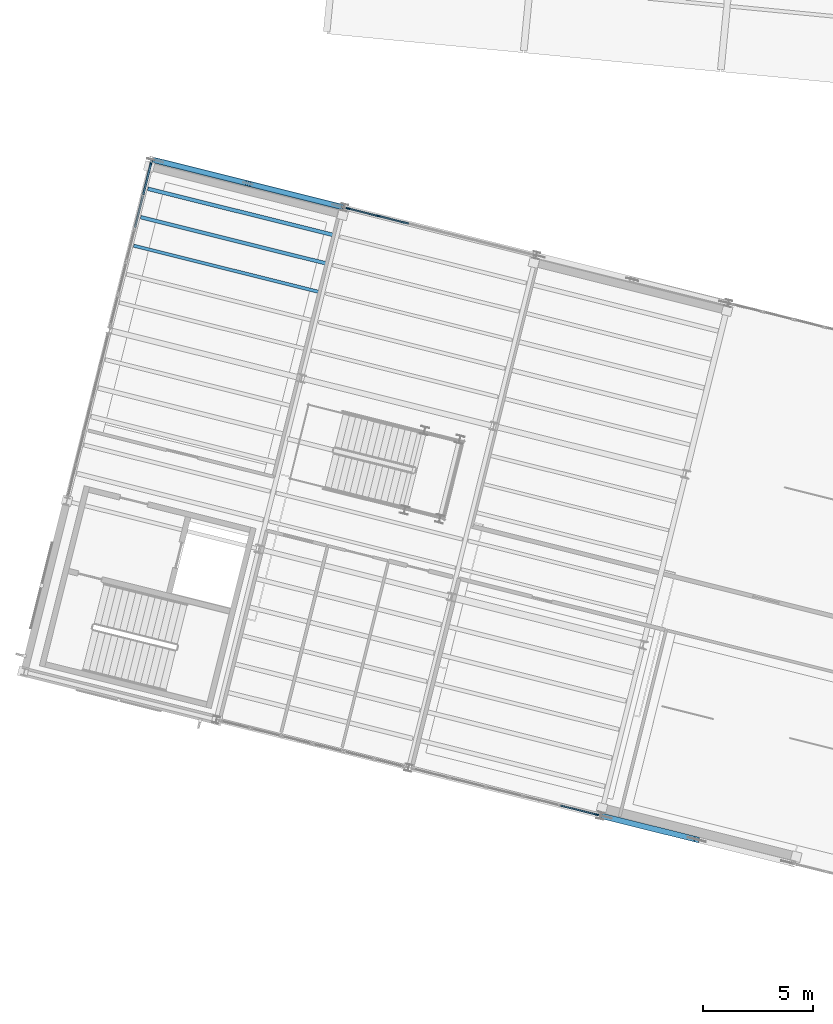
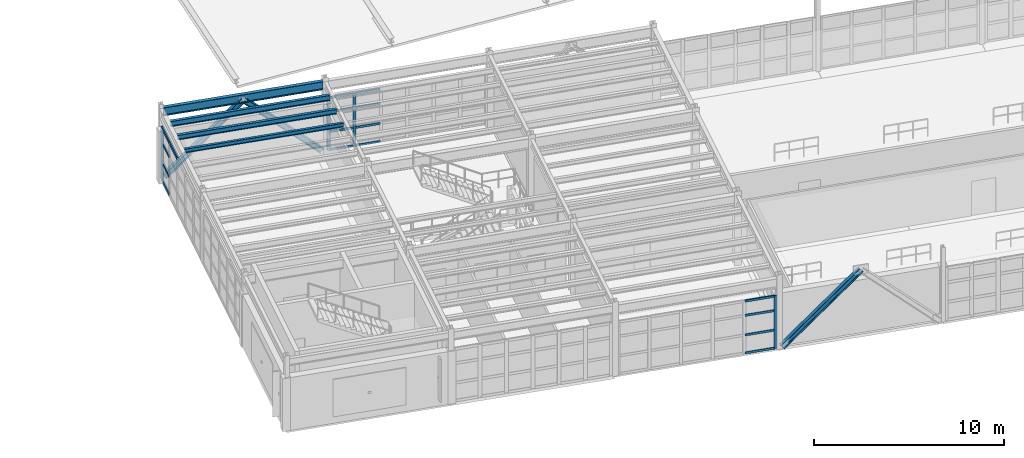
# One storey, part 14 of 59: 24 members, 4 beams, 3 elements without a shape of their own.
"""IFC4 building model written with IfcOpenShell, lengths in metres."""

from ifc_helpers import new_model, si_unit, direction, frame, origin, origin_2d, place, context, subcontext, project, spatial, rectangle, i_section, extrude, material, layer, layer_set, material_profile, profile_set, type_object, element, aggregate, save


model = new_model("IFC4")

# Units and contexts
model_context = context("Model", 3, precision=1e-05, world=origin(), true_north=direction((0.0, 1.0)))
body_context = subcontext(model_context, "Body", "Model", "MODEL_VIEW")
ifc_project = project(units=[si_unit("LENGTHUNIT", "METRE"), si_unit("AREAUNIT", "SQUARE_METRE"), si_unit("VOLUMEUNIT", "CUBIC_METRE"), si_unit("PLANEANGLEUNIT", "RADIAN"), si_unit("MASSUNIT", "GRAM", prefix="KILO")], contexts=[model_context])

# Site, building, storey
site_placement = place(None, origin())
site = spatial("IfcSite", under=ifc_project, at=site_placement, CompositionType="ELEMENT")
building_placement = place(site_placement, origin())
building = spatial("IfcBuilding", under=site, at=building_placement, Name="Vireo Bluff Cable Station", CompositionType="ELEMENT")
storey_placement = place(building_placement, frame((0.0, 0.0, 14.39990234375)))
storey = spatial("IfcBuildingStorey", under=building, at=storey_placement, Name="L03", CompositionType="ELEMENT", Elevation=14.39990234375)

# Members
ifc_material_1 = material(Name="Steel ASTM A992 Gr. 50", Category="steel")
ifc_material_profile_1 = material_profile(ifc_material_1, i_section(OverallWidth=0.25390625, OverallDepth=0.305908203125, WebThickness=0.0087890625, FlangeThickness=0.0146484375, FilletRadius=0.010986328125, at=origin_2d()), Name="W12X53")
ifc_profile_set_1 = profile_set([ifc_material_profile_1], Name="Steel ASTM A992 Gr. 50")
member_type_1 = type_object("IfcMemberType", Name="BRC-04", PredefinedType="BRACE", material=ifc_profile_set_1)
member_1_placement = place(storey_placement, frame((59.96142578125, 61.248291015625, 0.0400390625), z_axis=(0.702068522127, -0.175028678406, 0.69026426242), x_axis=(0.241900212683, 0.970301132177, 0.0)))
element("IfcMember", 1, at=member_1_placement, inside=storey, type_object=member_type_1, Name="V1 L03 concentric brace 15L", PredefinedType="BRACE", context=body_context, shape_type="SweptSolid", body=[
    extrude(i_section(OverallWidth=0.25390625, OverallDepth=0.305908203125, WebThickness=0.0087890625, FlangeThickness=0.0146484375, FilletRadius=0.010986328125, at=origin_2d()), origin(), (0.0, 0.0, 1.0), 5.997802734375),
])
member_2_placement = place(storey_placement, frame((80.353271484375, 31.429443359375, 0.0400390625), z_axis=(0.702063519762, -0.175068135349, 0.690259344163), x_axis=(0.241953175614, 0.970287926757, 0.0)))
element("IfcMember", 2, at=member_2_placement, inside=storey, type_object=member_type_1, Name="V1 L03 concentric brace 21L", PredefinedType="BRACE", context=body_context, shape_type="SweptSolid", body=[
    extrude(i_section(OverallWidth=0.25390625, OverallDepth=0.305908203125, WebThickness=0.0087890625, FlangeThickness=0.0146484375, FilletRadius=0.010986328125, at=origin_2d()), origin(), (0.0, 0.0, 1.0), 5.998046875),
])
ifc_material_profile_2 = material_profile(ifc_material_1, i_section(OverallWidth=0.25390625, OverallDepth=0.31005859375, WebThickness=0.009033203125, FlangeThickness=0.016357421875, FilletRadius=0.010986328125, at=origin_2d()), Name="W12X58")
ifc_profile_set_2 = profile_set([ifc_material_profile_2], Name="Steel ASTM A992 Gr. 50")
member_type_2 = type_object("IfcMemberType", Name="BRC-05", PredefinedType="BRACE", material=ifc_profile_set_2)
member_3_placement = place(storey_placement, frame((68.383544921875, 59.1484375, 0.0400390625), z_axis=(-0.70208416018, 0.175063132526, 0.690239619012), x_axis=(-0.241939969626, -0.970291219736, 0.0)))
element("IfcMember", 3, at=member_3_placement, inside=storey, type_object=member_type_2, Name="V1 L03 concentric brace 16R", PredefinedType="BRACE", context=body_context, shape_type="SweptSolid", body=[
    extrude(i_section(OverallWidth=0.25390625, OverallDepth=0.31005859375, WebThickness=0.009033203125, FlangeThickness=0.016357421875, FilletRadius=0.010986328125, at=origin_2d()), origin(), (0.0, 0.0, 1.0), 5.998046875),
])

# Curtain wall, member
ifc_material_2 = material(Name="Anodized Aluminium 6063-T6", Category="aluminium")
ifc_layer_1 = layer(ifc_material_2, 0.179931640625, Name="Anodized Aluminium 6063-T6")
ifc_layer_set_1 = layer_set([ifc_layer_1], Name="Anodized Aluminium 6063-T6")
curtain_wall_type_1 = type_object("IfcCurtainWallType", Name="CW-UNIT-1650", PredefinedType="USERDEFINED", material=ifc_layer_set_1)
curtain_wall_1_placement = place(storey_placement, origin())
curtain_wall_1 = element("IfcCurtainWall", 4, at=curtain_wall_1_placement, inside=storey, type_object=curtain_wall_type_1, Name="V1 L03 south curtain wall CW-020", ObjectType="UNITISED CURTAIN WALL", PredefinedType="USERDEFINED")
ifc_material_profile_3 = material_profile(ifc_material_2, rectangle(XDim=0.06494140625, YDim=0.179931640625, at=origin_2d()), Name="ALU-M-65X180")
ifc_profile_set_3 = profile_set([ifc_material_profile_3], Name="Anodized Aluminium 6063-T6")
member_type_3 = type_object("IfcMemberType", Name="CWM-01", PredefinedType="MULLION", material=ifc_profile_set_3)
member_4_placement = place(storey_placement, frame((80.015625, 31.513671875, 0.0), z_axis=(0.0, 0.0, 1.0), x_axis=(-0.241921845845, -0.970295738681, 0.0)))
member_4 = element("IfcMember", 5, at=member_4_placement, type_object=member_type_3, Name="CW-020 mullion 1", PredefinedType="MULLION", context=body_context, shape_type="SweptSolid", body=[
    extrude(rectangle(XDim=0.06494140625, YDim=0.179931640625, at=origin_2d()), origin(), (0.0, 0.0, 1.0), 3.400146484375),
])

# Curtain wall, members
ifc_layer_2 = layer(ifc_material_2, 0.179931640625, Name="Anodized Aluminium 6063-T6")
ifc_layer_set_2 = layer_set([ifc_layer_2], Name="Anodized Aluminium 6063-T6")
curtain_wall_type_2 = type_object("IfcCurtainWallType", Name="CW-UNIT-1400", PredefinedType="USERDEFINED", material=ifc_layer_set_2)
curtain_wall_2_placement = place(storey_placement, origin())
curtain_wall_2 = element("IfcCurtainWall", 6, at=curtain_wall_2_placement, inside=storey, type_object=curtain_wall_type_2, Name="V1 L03 north curtain wall CW-024", ObjectType="UNITISED CURTAIN WALL", PredefinedType="USERDEFINED")
member_5_placement = place(storey_placement, frame((68.72021484375, 59.064453125, 0.0), z_axis=(0.0, 0.0, 1.0), x_axis=(0.241921878749, 0.970295730477, 0.0)))
member_5 = element("IfcMember", 7, at=member_5_placement, type_object=member_type_3, Name="CW-024 mullion 1", PredefinedType="MULLION", context=body_context, shape_type="SweptSolid", body=[
    extrude(rectangle(XDim=0.06494140625, YDim=0.179931640625, at=origin_2d()), origin(), (0.0, 0.0, 1.0), 3.400146484375),
])
member_6_placement = place(storey_placement, frame((70.09423828125, 58.721923828125, 0.0), z_axis=(0.0, 0.0, 1.0), x_axis=(0.241921878749, 0.970295730477, 0.0)))
member_6 = element("IfcMember", 8, at=member_6_placement, type_object=member_type_3, Name="CW-024 mullion 2", PredefinedType="MULLION", context=body_context, shape_type="SweptSolid", body=[
    extrude(rectangle(XDim=0.06494140625, YDim=0.179931640625, at=origin_2d()), origin(), (0.0, 0.0, 1.0), 3.400146484375),
])

# Curtain wall, member
curtain_wall_3_placement = place(storey_placement, origin())
curtain_wall_3 = element("IfcCurtainWall", 9, at=curtain_wall_3_placement, inside=storey, type_object=curtain_wall_type_1, Name="V1 L03 west curtain wall CW-023", ObjectType="UNITISED CURTAIN WALL", PredefinedType="USERDEFINED")
ifc_material_profile_4 = material_profile(ifc_material_2, rectangle(XDim=0.080078125, YDim=0.239990234375, at=origin_2d()), Name="ALU-M-80X240")
ifc_profile_set_4 = profile_set([ifc_material_profile_4], Name="Anodized Aluminium 6063-T6")
member_type_4 = type_object("IfcMemberType", Name="CWM-04", PredefinedType="MULLION", material=ifc_profile_set_4)
member_7_placement = place(storey_placement, frame((59.764892578125, 61.1220703125, 0.0), z_axis=(0.0, 0.0, 1.0), x_axis=(-0.970295721712, 0.241921913906, 0.0)))
member_7 = element("IfcMember", 10, at=member_7_placement, type_object=member_type_4, Name="CW-023 mullion 6", PredefinedType="MULLION", context=body_context, shape_type="SweptSolid", body=[
    extrude(rectangle(XDim=0.080078125, YDim=0.239990234375, at=origin_2d()), origin(), (0.0, 0.0, 1.0), 3.400146484375),
])

# Member
ifc_material_profile_5 = material_profile(ifc_material_2, rectangle(XDim=0.06494140625, YDim=0.139892578125, at=origin_2d()), Name="ALU-T-65X140")
ifc_profile_set_5 = profile_set([ifc_material_profile_5], Name="Anodized Aluminium 6063-T6")
member_type_5 = type_object("IfcMemberType", Name="CWT-01", PredefinedType="USERDEFINED", material=ifc_profile_set_5)
member_8_placement = place(storey_placement, frame((79.984130859375, 31.521484375, 0.03271484375), z_axis=(-0.970308626073, 0.24187015146, 0.0), x_axis=(-0.24187015146, -0.970308626073, 0.0)))
member_8 = element("IfcMember", 11, at=member_8_placement, type_object=member_type_5, Name="CW-020 transom 1.1", ObjectType="TRANSOM", PredefinedType="USERDEFINED", context=body_context, shape_type="SweptSolid", body=[
    extrude(rectangle(XDim=0.06494140625, YDim=0.139892578125, at=origin_2d()), origin(), (0.0, 0.0, 1.0), 1.64013671875),
])

member_9_placement = place(storey_placement, frame((79.984130859375, 31.521484375, 1.190185546875), z_axis=(-0.970308626073, 0.24187015146, 0.0), x_axis=(-0.24187015146, -0.970308626073, 0.0)))
member_9 = element("IfcMember", 12, at=member_9_placement, type_object=member_type_5, Name="CW-020 transom 1.2", ObjectType="TRANSOM", PredefinedType="USERDEFINED", context=body_context, shape_type="SweptSolid", body=[
    extrude(rectangle(XDim=0.06494140625, YDim=0.139892578125, at=origin_2d()), origin(), (0.0, 0.0, 1.0), 1.64013671875),
])

member_10_placement = place(storey_placement, frame((79.984130859375, 31.521484375, 2.447998046875), z_axis=(-0.970308626073, 0.24187015146, 0.0), x_axis=(-0.24187015146, -0.970308626073, 0.0)))
member_10 = element("IfcMember", 13, at=member_10_placement, type_object=member_type_5, Name="CW-020 transom 1.3", ObjectType="TRANSOM", PredefinedType="USERDEFINED", context=body_context, shape_type="SweptSolid", body=[
    extrude(rectangle(XDim=0.06494140625, YDim=0.139892578125, at=origin_2d()), origin(), (0.0, 0.0, 1.0), 1.64013671875),
])

member_11_placement = place(storey_placement, frame((79.984130859375, 31.521484375, 3.36767578125), z_axis=(-0.970308626073, 0.24187015146, 0.0), x_axis=(-0.24187015146, -0.970308626073, 0.0)))
member_11 = element("IfcMember", 14, at=member_11_placement, type_object=member_type_5, Name="CW-020 transom 1.4", ObjectType="TRANSOM", PredefinedType="USERDEFINED", context=body_context, shape_type="SweptSolid", body=[
    extrude(rectangle(XDim=0.06494140625, YDim=0.139892578125, at=origin_2d()), origin(), (0.0, 0.0, 1.0), 1.64013671875),
])

aggregate(curtain_wall_1, [member_4, member_8, member_9, member_10, member_11])

member_12_placement = place(storey_placement, frame((68.751708984375, 59.056640625, 0.03271484375), z_axis=(0.970333522681, -0.24177025202, 0.0), x_axis=(0.24177025202, 0.970333522681, 0.0)))
member_12 = element("IfcMember", 15, at=member_12_placement, type_object=member_type_5, Name="CW-024 transom 1.1", ObjectType="TRANSOM", PredefinedType="USERDEFINED", context=body_context, shape_type="SweptSolid", body=[
    extrude(rectangle(XDim=0.06494140625, YDim=0.139892578125, at=origin_2d()), origin(), (0.0, 0.0, 1.0), 1.35107421875),
])

member_13_placement = place(storey_placement, frame((68.751708984375, 59.056640625, 1.190185546875), z_axis=(0.970333522681, -0.24177025202, 0.0), x_axis=(0.24177025202, 0.970333522681, 0.0)))
member_13 = element("IfcMember", 16, at=member_13_placement, type_object=member_type_5, Name="CW-024 transom 1.2", ObjectType="TRANSOM", PredefinedType="USERDEFINED", context=body_context, shape_type="SweptSolid", body=[
    extrude(rectangle(XDim=0.06494140625, YDim=0.139892578125, at=origin_2d()), origin(), (0.0, 0.0, 1.0), 1.35107421875),
])

member_14_placement = place(storey_placement, frame((68.751708984375, 59.056640625, 2.447998046875), z_axis=(0.970333522681, -0.24177025202, 0.0), x_axis=(0.24177025202, 0.970333522681, 0.0)))
member_14 = element("IfcMember", 17, at=member_14_placement, type_object=member_type_5, Name="CW-024 transom 1.3", ObjectType="TRANSOM", PredefinedType="USERDEFINED", context=body_context, shape_type="SweptSolid", body=[
    extrude(rectangle(XDim=0.06494140625, YDim=0.139892578125, at=origin_2d()), origin(), (0.0, 0.0, 1.0), 1.35107421875),
])

member_15_placement = place(storey_placement, frame((68.751708984375, 59.056640625, 3.36767578125), z_axis=(0.970333522681, -0.24177025202, 0.0), x_axis=(0.24177025202, 0.970333522681, 0.0)))
member_15 = element("IfcMember", 18, at=member_15_placement, type_object=member_type_5, Name="CW-024 transom 1.4", ObjectType="TRANSOM", PredefinedType="USERDEFINED", context=body_context, shape_type="SweptSolid", body=[
    extrude(rectangle(XDim=0.06494140625, YDim=0.139892578125, at=origin_2d()), origin(), (0.0, 0.0, 1.0), 1.35107421875),
])

member_16_placement = place(storey_placement, frame((70.125732421875, 58.714111328125, 0.03271484375), z_axis=(0.970287662527, -0.241954235235, 0.0), x_axis=(0.241954235235, 0.970287662527, 0.0)))
member_16 = element("IfcMember", 19, at=member_16_placement, type_object=member_type_5, Name="CW-024 transom 2.1", ObjectType="TRANSOM", PredefinedType="USERDEFINED", context=body_context, shape_type="SweptSolid", body=[
    extrude(rectangle(XDim=0.06494140625, YDim=0.139892578125, at=origin_2d()), origin(), (0.0, 0.0, 1.0), 1.38330078125),
])

member_17_placement = place(storey_placement, frame((70.125732421875, 58.714111328125, 1.190185546875), z_axis=(0.970287662527, -0.241954235235, 0.0), x_axis=(0.241954235235, 0.970287662527, 0.0)))
member_17 = element("IfcMember", 20, at=member_17_placement, type_object=member_type_5, Name="CW-024 transom 2.2", ObjectType="TRANSOM", PredefinedType="USERDEFINED", context=body_context, shape_type="SweptSolid", body=[
    extrude(rectangle(XDim=0.06494140625, YDim=0.139892578125, at=origin_2d()), origin(), (0.0, 0.0, 1.0), 1.38330078125),
])

member_18_placement = place(storey_placement, frame((70.125732421875, 58.714111328125, 2.447998046875), z_axis=(0.970287662527, -0.241954235235, 0.0), x_axis=(0.241954235235, 0.970287662527, 0.0)))
member_18 = element("IfcMember", 21, at=member_18_placement, type_object=member_type_5, Name="CW-024 transom 2.3", ObjectType="TRANSOM", PredefinedType="USERDEFINED", context=body_context, shape_type="SweptSolid", body=[
    extrude(rectangle(XDim=0.06494140625, YDim=0.139892578125, at=origin_2d()), origin(), (0.0, 0.0, 1.0), 1.38330078125),
])

member_19_placement = place(storey_placement, frame((70.125732421875, 58.714111328125, 3.36767578125), z_axis=(0.970287662527, -0.241954235235, 0.0), x_axis=(0.241954235235, 0.970287662527, 0.0)))
member_19 = element("IfcMember", 22, at=member_19_placement, type_object=member_type_5, Name="CW-024 transom 2.4", ObjectType="TRANSOM", PredefinedType="USERDEFINED", context=body_context, shape_type="SweptSolid", body=[
    extrude(rectangle(XDim=0.06494140625, YDim=0.139892578125, at=origin_2d()), origin(), (0.0, 0.0, 1.0), 1.38330078125),
])

aggregate(curtain_wall_2, [member_5, member_6, member_12, member_13, member_14, member_15, member_16, member_17, member_18, member_19])

ifc_material_profile_6 = material_profile(ifc_material_2, rectangle(XDim=0.080078125, YDim=0.175048828125, at=origin_2d()), Name="ALU-T-80X175")
ifc_profile_set_6 = profile_set([ifc_material_profile_6], Name="Anodized Aluminium 6063-T6")
member_type_6 = type_object("IfcMemberType", Name="CWT-04", PredefinedType="USERDEFINED", material=ifc_profile_set_6)
member_20_placement = place(storey_placement, frame((59.03564453125, 58.197265625, 3.360107421875), z_axis=(0.241948279971, 0.970289147532, 0.0), x_axis=(-0.970289147532, 0.241948279971, 0.0)))
member_20 = element("IfcMember", 23, at=member_20_placement, type_object=member_type_6, Name="CW-023 transom 4.4", ObjectType="TRANSOM", PredefinedType="USERDEFINED", context=body_context, shape_type="SweptSolid", body=[
    extrude(rectangle(XDim=0.080078125, YDim=0.175048828125, at=origin_2d()), origin(), (0.0, 0.0, 1.0), 1.46728515625),
])

member_21_placement = place(storey_placement, frame((59.41015625, 59.698486328125, 0.0400390625), z_axis=(0.241891547174, 0.970303292484, 0.0), x_axis=(-0.970303292484, 0.241891547174, 0.0)))
member_21 = element("IfcMember", 24, at=member_21_placement, type_object=member_type_6, Name="CW-023 transom 5.1", ObjectType="TRANSOM", PredefinedType="USERDEFINED", context=body_context, shape_type="SweptSolid", body=[
    extrude(rectangle(XDim=0.080078125, YDim=0.175048828125, at=origin_2d()), origin(), (0.0, 0.0, 1.0), 1.42724609375),
])

member_22_placement = place(storey_placement, frame((59.41015625, 59.698486328125, 1.190185546875), z_axis=(0.241891547174, 0.970303292484, 0.0), x_axis=(-0.970303292484, 0.241891547174, 0.0)))
member_22 = element("IfcMember", 25, at=member_22_placement, type_object=member_type_6, Name="CW-023 transom 5.2", ObjectType="TRANSOM", PredefinedType="USERDEFINED", context=body_context, shape_type="SweptSolid", body=[
    extrude(rectangle(XDim=0.080078125, YDim=0.175048828125, at=origin_2d()), origin(), (0.0, 0.0, 1.0), 1.42724609375),
])

member_23_placement = place(storey_placement, frame((59.41015625, 59.698486328125, 2.447998046875), z_axis=(0.241891547174, 0.970303292484, 0.0), x_axis=(-0.970303292484, 0.241891547174, 0.0)))
member_23 = element("IfcMember", 26, at=member_23_placement, type_object=member_type_6, Name="CW-023 transom 5.3", ObjectType="TRANSOM", PredefinedType="USERDEFINED", context=body_context, shape_type="SweptSolid", body=[
    extrude(rectangle(XDim=0.080078125, YDim=0.175048828125, at=origin_2d()), origin(), (0.0, 0.0, 1.0), 1.42724609375),
])

member_24_placement = place(storey_placement, frame((59.41015625, 59.698486328125, 3.360107421875), z_axis=(0.241891547174, 0.970303292484, 0.0), x_axis=(-0.970303292484, 0.241891547174, 0.0)))
member_24 = element("IfcMember", 27, at=member_24_placement, type_object=member_type_6, Name="CW-023 transom 5.4", ObjectType="TRANSOM", PredefinedType="USERDEFINED", context=body_context, shape_type="SweptSolid", body=[
    extrude(rectangle(XDim=0.080078125, YDim=0.175048828125, at=origin_2d()), origin(), (0.0, 0.0, 1.0), 1.42724609375),
])

aggregate(curtain_wall_3, [member_7, member_20, member_21, member_22, member_23, member_24])

# Beams
ifc_material_profile_7 = material_profile(ifc_material_1, i_section(OverallWidth=0.14599609375, OverallDepth=0.259033203125, WebThickness=0.006103515625, FlangeThickness=0.009033203125, FilletRadius=0.009033203125, at=origin_2d()), Name="W10X22")
ifc_profile_set_7 = profile_set([ifc_material_profile_7], Name="Steel ASTM A992 Gr. 50")
beam_type_1 = type_object("IfcBeamType", Name="JST-W10X22", PredefinedType="JOIST", material=ifc_profile_set_7)
beam_1_placement = place(storey_placement, frame((58.974365234375, 57.3720703125, 4.41064453125), z_axis=(0.970293828661, -0.24192950639, 0.0), x_axis=(0.24192950639, 0.970293828661, 0.0)))
element("IfcBeam", 28, at=beam_1_placement, inside=storey, type_object=beam_type_1, Name="V1 L03 composite joist 303", PredefinedType="JOIST", context=body_context, shape_type="SweptSolid", body=[
    extrude(i_section(OverallWidth=0.14599609375, OverallDepth=0.259033203125, WebThickness=0.006103515625, FlangeThickness=0.009033203125, FilletRadius=0.009033203125, at=origin_2d()), origin(), (0.0, 0.0, 1.0), 8.719970703125),
])
ifc_material_profile_8 = material_profile(ifc_material_1, i_section(OverallWidth=0.1650390625, OverallDepth=0.31005859375, WebThickness=0.005859375, FlangeThickness=0.009765625, FilletRadius=0.010009765625, at=origin_2d()), Name="W12X26")
ifc_profile_set_8 = profile_set([ifc_material_profile_8], Name="Steel ASTM A992 Gr. 50")
beam_type_2 = type_object("IfcBeamType", Name="JST-W12X26", PredefinedType="JOIST", material=ifc_profile_set_8)
beam_2_placement = place(storey_placement, frame((59.296875, 58.665771484375, 4.385009765625), z_axis=(0.970293828661, -0.24192950639, 0.0), x_axis=(0.24192950639, 0.970293828661, 0.0)))
element("IfcBeam", 29, at=beam_2_placement, inside=storey, type_object=beam_type_2, Name="V1 L03 composite joist 304", PredefinedType="JOIST", context=body_context, shape_type="SweptSolid", body=[
    extrude(i_section(OverallWidth=0.1650390625, OverallDepth=0.31005859375, WebThickness=0.005859375, FlangeThickness=0.009765625, FilletRadius=0.010009765625, at=origin_2d()), origin(), (0.0, 0.0, 1.0), 8.719970703125),
])
ifc_material_profile_9 = material_profile(ifc_material_1, i_section(OverallWidth=0.1708984375, OverallDepth=0.35107421875, WebThickness=0.0068359375, FlangeThickness=0.009765625, FilletRadius=0.010009765625, at=origin_2d()), Name="W14X30")
ifc_profile_set_9 = profile_set([ifc_material_profile_9], Name="Steel ASTM A992 Gr. 50")
beam_type_3 = type_object("IfcBeamType", Name="JST-W14X30", PredefinedType="JOIST", material=ifc_profile_set_9)
beam_3_placement = place(storey_placement, frame((59.619384765625, 59.95947265625, 4.364501953125), z_axis=(0.970293828661, -0.24192950639, 0.0), x_axis=(0.24192950639, 0.970293828661, 0.0)))
element("IfcBeam", 30, at=beam_3_placement, inside=storey, type_object=beam_type_3, Name="V1 L03 composite joist 305", PredefinedType="JOIST", context=body_context, shape_type="SweptSolid", body=[
    extrude(i_section(OverallWidth=0.1708984375, OverallDepth=0.35107421875, WebThickness=0.0068359375, FlangeThickness=0.009765625, FilletRadius=0.010009765625, at=origin_2d()), origin(), (0.0, 0.0, 1.0), 8.719970703125),
])
ifc_material_profile_10 = material_profile(ifc_material_1, i_section(OverallWidth=0.2099609375, OverallDepth=0.535888671875, WebThickness=0.010986328125, FlangeThickness=0.017333984375, FilletRadius=0.012939453125, at=origin_2d()), Name="W21X68")
ifc_profile_set_10 = profile_set([ifc_material_profile_10], Name="Steel ASTM A992 Gr. 50")
beam_type_4 = type_object("IfcBeamType", Name="SPN-W21X68", PredefinedType="SPANDREL", material=ifc_profile_set_10)
beam_4_placement = place(storey_placement, frame((59.922607421875, 61.258056640625, 4.272216796875), z_axis=(0.970298044881, -0.241912595995, 0.0), x_axis=(0.241912595995, 0.970298044881, 0.0)))
element("IfcBeam", 31, at=beam_4_placement, inside=storey, type_object=beam_type_4, Name="V1 L03 spandrel 281", PredefinedType="SPANDREL", context=body_context, shape_type="SweptSolid", body=[
    extrude(i_section(OverallWidth=0.2099609375, OverallDepth=0.535888671875, WebThickness=0.010986328125, FlangeThickness=0.017333984375, FilletRadius=0.012939453125, at=origin_2d()), origin(), (0.0, 0.0, 1.0), 8.760009765625),
])

save(model, "model.ifc")
